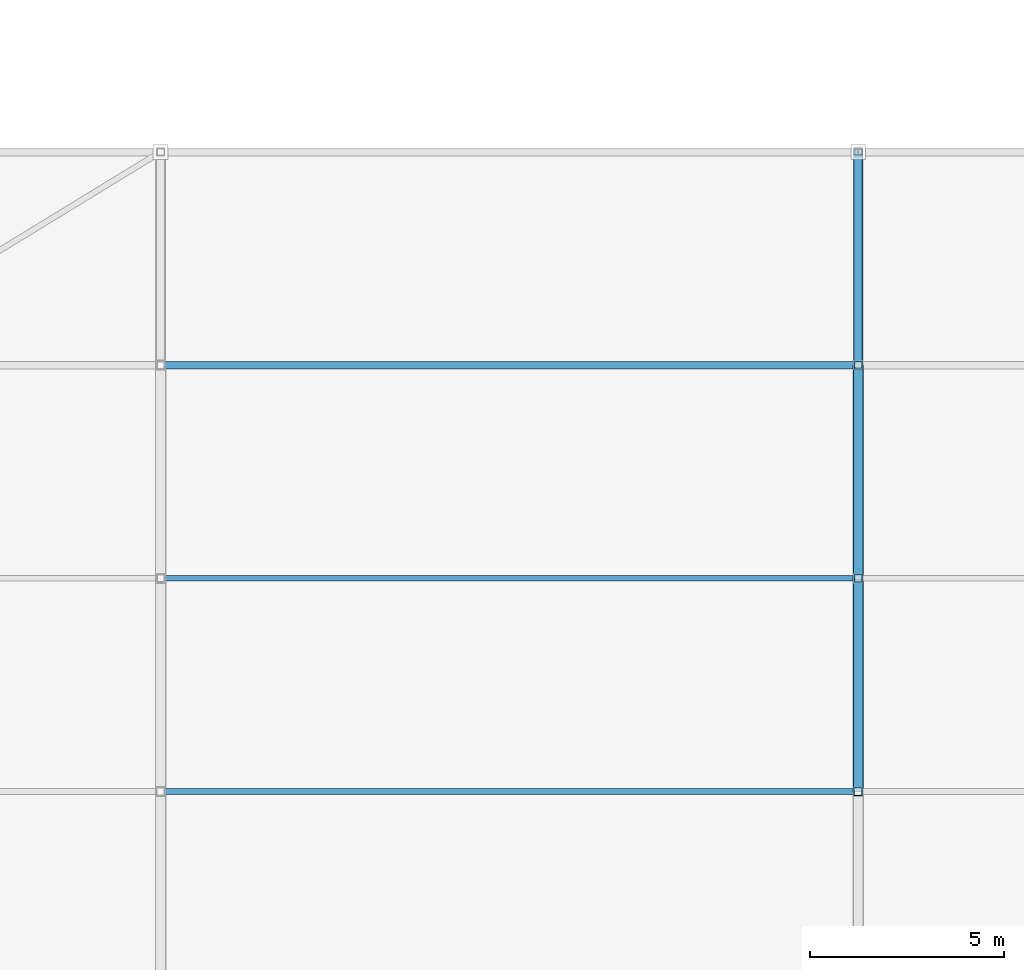
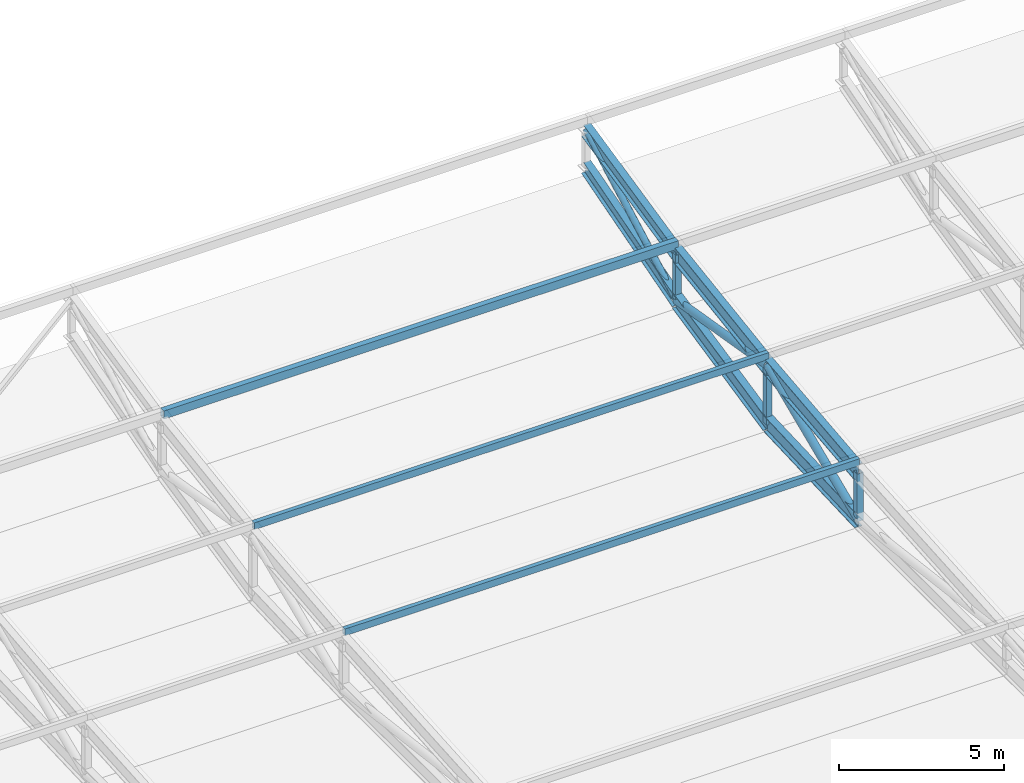
# One storey, part 21 of 114: 9 members, 6 beams.
"""IFC4 building model written with IfcOpenShell, lengths in metres."""

from ifc_helpers import new_model, si_unit, direction, frame, origin, origin_2d, place, context, subcontext, project, spatial, hollow_rectangle, hollow_circle, i_section, extrude, material, material_profile, profile_set, type_object, element, save


model = new_model("IFC4")

# Units and contexts
model_context = context("Model", 3, precision=1e-05, world=origin(), true_north=direction((0.0, 1.0)))
body_context = subcontext(model_context, "Body", "Model", "MODEL_VIEW")
ifc_project = project(units=[si_unit("LENGTHUNIT", "METRE"), si_unit("AREAUNIT", "SQUARE_METRE"), si_unit("VOLUMEUNIT", "CUBIC_METRE"), si_unit("PLANEANGLEUNIT", "RADIAN"), si_unit("MASSUNIT", "GRAM", prefix="KILO"), si_unit("THERMODYNAMICTEMPERATUREUNIT", "KELVIN"), si_unit("POWERUNIT", "WATT")], contexts=[model_context])

# Site, building, storey
site_placement = place(None, origin())
site = spatial("IfcSite", under=ifc_project, at=site_placement, CompositionType="ELEMENT")
building_placement = place(site_placement, origin())
building = spatial("IfcBuilding", under=site, at=building_placement, Name="Sindhuravela Promenade Stadium", CompositionType="ELEMENT")
storey_placement = place(building_placement, frame((0.0, 0.0, 24.0)))
storey = spatial("IfcBuildingStorey", under=building, at=storey_placement, Name="L05", CompositionType="ELEMENT", Elevation=24.0)

# Beams
ifc_material = material(Name="Steel E350 (IS 2062 E350BR)", Category="steel")
ifc_material_profile_1 = material_profile(ifc_material, i_section(OverallWidth=0.25, OverallDepth=0.5, WebThickness=0.010009765625, FlangeThickness=0.0146484375, FilletRadius=0.014892578125, at=origin_2d()), Name="ISWB 500")
ifc_profile_set_1 = profile_set([ifc_material_profile_1], Name="Steel E350 (IS 2062 E350BR)")
beam_type_1 = type_object("IfcBeamType", Name="ST-BM-WB500", PredefinedType="USERDEFINED", material=ifc_profile_set_1)
beam_1_placement = place(storey_placement, frame((126.0, 38.0, 3.169189453125), z_axis=(0.0, 0.9758669805330386, 0.2183658313595103), x_axis=(-1.0, 0.0, 0.0)))
element("IfcBeam", 1, at=beam_1_placement, inside=storey, type_object=beam_type_1, Name="Roof truss RT-S06 top chord 5", ObjectType="ROOF TRUSS", PredefinedType="USERDEFINED", context=body_context, shape_type="SweptSolid", body=[
    extrude(i_section(OverallWidth=0.25, OverallDepth=0.5, WebThickness=0.010009765625, FlangeThickness=0.0146484375, FilletRadius=0.014892578125, at=origin_2d()), origin(), (0.0, 0.0, 1.0), 5.635986328125),
])
beam_2_placement = place(storey_placement, frame((126.0, 38.0, 1.419189453125), z_axis=(0.0, 0.9599274278129861, 0.28024869907342015), x_axis=(-1.0, 0.0, 0.0)))
element("IfcBeam", 2, at=beam_2_placement, inside=storey, type_object=beam_type_1, Name="Roof truss RT-S06 bottom chord 5", ObjectType="ROOF TRUSS", PredefinedType="USERDEFINED", context=body_context, shape_type="SweptSolid", body=[
    extrude(i_section(OverallWidth=0.25, OverallDepth=0.5, WebThickness=0.010009765625, FlangeThickness=0.0146484375, FilletRadius=0.014892578125, at=origin_2d()), origin(), (0.0, 0.0, 1.0), 5.7294921875),
])
ifc_material_profile_2 = material_profile(ifc_material, i_section(OverallWidth=0.25, OverallDepth=0.60009765625, WebThickness=0.01171875, FlangeThickness=0.023681640625, FilletRadius=0.01708984375, at=origin_2d()), Name="ISWB 600")
ifc_profile_set_2 = profile_set([ifc_material_profile_2], Name="Steel E350 (IS 2062 E350BR)")
beam_type_2 = type_object("IfcBeamType", Name="ST-BM-WB600", PredefinedType="USERDEFINED", material=ifc_profile_set_2)
beam_3_placement = place(storey_placement, frame((126.0, 27.0, 1.76318359375), z_axis=(0.0, 0.9943078180575428, 0.1065455909441987), x_axis=(-1.0, 0.0, 0.0)))
element("IfcBeam", 3, at=beam_3_placement, inside=storey, type_object=beam_type_2, Name="Roof truss RT-S06 top chord 3", ObjectType="ROOF TRUSS", PredefinedType="USERDEFINED", context=body_context, shape_type="SweptSolid", body=[
    extrude(i_section(OverallWidth=0.25, OverallDepth=0.60009765625, WebThickness=0.01171875, FlangeThickness=0.023681640625, FilletRadius=0.01708984375, at=origin_2d()), origin(), (0.0, 0.0, 1.0), 5.531494140625),
])
beam_4_placement = place(storey_placement, frame((126.0, 27.0, 0.0), z_axis=(0.0, 0.9991453279387894, 0.04133538022189949), x_axis=(-1.0, 0.0, 0.0)))
element("IfcBeam", 4, at=beam_4_placement, inside=storey, type_object=beam_type_2, Name="Roof truss RT-S06 bottom chord 3", ObjectType="ROOF TRUSS", PredefinedType="USERDEFINED", context=body_context, shape_type="SweptSolid", body=[
    extrude(i_section(OverallWidth=0.25, OverallDepth=0.60009765625, WebThickness=0.01171875, FlangeThickness=0.023681640625, FilletRadius=0.01708984375, at=origin_2d()), origin(), (0.0, 0.0, 1.0), 5.504638671875),
])
beam_5_placement = place(storey_placement, frame((126.0, 32.5, 2.3525390625), z_axis=(0.0, 0.9891555530237203, 0.14687168523012892), x_axis=(-1.0, 0.0, 0.0)))
element("IfcBeam", 5, at=beam_5_placement, inside=storey, type_object=beam_type_2, Name="Roof truss RT-S06 top chord 4", ObjectType="ROOF TRUSS", PredefinedType="USERDEFINED", context=body_context, shape_type="SweptSolid", body=[
    extrude(i_section(OverallWidth=0.25, OverallDepth=0.60009765625, WebThickness=0.01171875, FlangeThickness=0.023681640625, FilletRadius=0.01708984375, at=origin_2d()), origin(), (0.0, 0.0, 1.0), 5.560302734375),
])
beam_6_placement = place(storey_placement, frame((126.0, 32.5, 0.2275390625), z_axis=(0.0, 0.9773237385626684, 0.21175058451368894), x_axis=(-1.0, 0.0, 0.0)))
element("IfcBeam", 6, at=beam_6_placement, inside=storey, type_object=beam_type_2, Name="Roof truss RT-S06 bottom chord 4", ObjectType="ROOF TRUSS", PredefinedType="USERDEFINED", context=body_context, shape_type="SweptSolid", body=[
    extrude(i_section(OverallWidth=0.25, OverallDepth=0.60009765625, WebThickness=0.01171875, FlangeThickness=0.023681640625, FilletRadius=0.01708984375, at=origin_2d()), origin(), (0.0, 0.0, 1.0), 5.627685546875),
])

# Members
ifc_material_profile_3 = material_profile(ifc_material, hollow_circle(Radius=0.109619140625, WallThickness=0.010009765625, at=origin_2d()), Name="CHS 219.1x10")
ifc_profile_set_3 = profile_set([ifc_material_profile_3], Name="Steel E350 (IS 2062 E350BR)")
member_type_1 = type_object("IfcMemberType", Name="ST-MB-CHS219", PredefinedType="BRACE", material=ifc_profile_set_3)
member_1_placement = place(storey_placement, frame((126.0, 38.0, 1.419189453125), z_axis=(0.0, 0.8791884339384995, 0.47647423605979855), x_axis=(-1.0, 0.0, 0.0)))
element("IfcMember", 7, at=member_1_placement, inside=storey, type_object=member_type_1, Name="Roof truss RT-S06 diagonal web 5", PredefinedType="BRACE", context=body_context, shape_type="SweptSolid", body=[
    extrude(hollow_circle(Radius=0.109619140625, WallThickness=0.010009765625, at=origin_2d()), origin(), (0.0, 0.0, 1.0), 6.255859375),
])
ifc_material_profile_4 = material_profile(ifc_material, hollow_circle(Radius=0.136474609375, WallThickness=0.010009765625, at=origin_2d()), Name="CHS 273.0x10")
ifc_profile_set_4 = profile_set([ifc_material_profile_4], Name="Steel E350 (IS 2062 E350BR)")
member_type_2 = type_object("IfcMemberType", Name="ST-MB-CHS273", PredefinedType="BRACE", material=ifc_profile_set_4)
member_2_placement = place(storey_placement, frame((126.0, 27.0, 0.0), z_axis=(0.0, 0.9194234507496676, 0.3932690150667524), x_axis=(-1.0, 0.0, 0.0)))
element("IfcMember", 8, at=member_2_placement, inside=storey, type_object=member_type_2, Name="Roof truss RT-S06 diagonal web 3", PredefinedType="BRACE", context=body_context, shape_type="SweptSolid", body=[
    extrude(hollow_circle(Radius=0.136474609375, WallThickness=0.010009765625, at=origin_2d()), origin(), (0.0, 0.0, 1.0), 5.98193359375),
])
member_3_placement = place(storey_placement, frame((126.0, 32.5, 2.3525390625), z_axis=(0.0, 0.9859046851385784, -0.1673079550463772), x_axis=(-1.0, 0.0, 0.0)))
element("IfcMember", 9, at=member_3_placement, inside=storey, type_object=member_type_2, Name="Roof truss RT-S06 diagonal web 4", PredefinedType="BRACE", context=body_context, shape_type="SweptSolid", body=[
    extrude(hollow_circle(Radius=0.136474609375, WallThickness=0.010009765625, at=origin_2d()), origin(), (0.0, 0.0, 1.0), 5.57861328125),
])
ifc_material_profile_5 = material_profile(ifc_material, hollow_rectangle(XDim=0.14990234375, YDim=0.25, WallThickness=0.010009765625, at=origin_2d()), Name="RHS 250x150x10")
ifc_profile_set_5 = profile_set([ifc_material_profile_5], Name="Steel E350 (IS 2062 E350BR)")
member_type_3 = type_object("IfcMemberType", Name="ST-MB-RHS250", PredefinedType="PURLIN", material=ifc_profile_set_5)
for number, where, z_axis, x_axis, name in (
    (10, (108.0, 27.0, 2.1552734375), (1.0, 0.0, 0.0), (0.0, 1.0, 0.0), "Roof purlin PR01 S bay 5.3"),
    (11, (108.0, 32.5, 2.744384765625), (1.0, 0.0, 0.0), (0.0, 1.0, 0.0), "Roof purlin PR01 S bay 5.4"),
):
    element("IfcMember", number, at=place(storey_placement, frame(where, z_axis=z_axis, x_axis=x_axis)), inside=storey, type_object=member_type_3, Name=name, PredefinedType="PURLIN", context=body_context, shape_type="SweptSolid", body=[
        extrude(hollow_rectangle(XDim=0.14990234375, YDim=0.25, WallThickness=0.010009765625, at=origin_2d()), origin(), (0.0, 0.0, 1.0), 18.0),
    ])
ifc_material_profile_6 = material_profile(ifc_material, hollow_rectangle(XDim=0.199951171875, YDim=0.300048828125, WallThickness=0.010009765625, at=origin_2d()), Name="RHS 300x200x10")
ifc_profile_set_6 = profile_set([ifc_material_profile_6], Name="Steel E350 (IS 2062 E350BR)")
member_type_4 = type_object("IfcMemberType", Name="ST-MB-RHS300", PredefinedType="PURLIN", material=ifc_profile_set_6)
member_4_placement = place(storey_placement, frame((108.0, 38.0, 3.5361328125), z_axis=(1.0, 0.0, 0.0), x_axis=(0.0, 1.0, 0.0)))
element("IfcMember", 12, at=member_4_placement, inside=storey, type_object=member_type_4, Name="Roof purlin PR02 S bay 5.5", PredefinedType="PURLIN", context=body_context, shape_type="SweptSolid", body=[
    extrude(hollow_rectangle(XDim=0.199951171875, YDim=0.300048828125, WallThickness=0.010009765625, at=origin_2d()), origin(), (0.0, 0.0, 1.0), 18.0),
])
ifc_material_profile_7 = material_profile(ifc_material, hollow_rectangle(XDim=0.199951171875, YDim=0.199951171875, WallThickness=0.010009765625, at=origin_2d()), Name="SHS 200x200x10")
ifc_profile_set_7 = profile_set([ifc_material_profile_7], Name="Steel E350 (IS 2062 E350BR)")
member_type_5 = type_object("IfcMemberType", Name="ST-MB-SHS200", PredefinedType="POST", material=ifc_profile_set_7)
member_5_placement = place(storey_placement, frame((126.0, 32.5, 0.2275390625), z_axis=(0.0, 0.0, 1.0), x_axis=(1.0, 0.0, 0.0)))
element("IfcMember", 13, at=member_5_placement, inside=storey, type_object=member_type_5, Name="Roof truss RT-S06 vertical post 4", PredefinedType="POST", context=body_context, shape_type="SweptSolid", body=[
    extrude(hollow_rectangle(XDim=0.199951171875, YDim=0.199951171875, WallThickness=0.010009765625, at=origin_2d()), origin(), (0.0, 0.0, 1.0), 2.125),
])
member_6_placement = place(storey_placement, frame((126.0, 38.0, 1.419189453125), z_axis=(0.0, 0.0, 1.0), x_axis=(1.0, 0.0, 0.0)))
element("IfcMember", 14, at=member_6_placement, inside=storey, type_object=member_type_5, Name="Roof truss RT-S06 vertical post 5", PredefinedType="POST", context=body_context, shape_type="SweptSolid", body=[
    extrude(hollow_rectangle(XDim=0.199951171875, YDim=0.199951171875, WallThickness=0.010009765625, at=origin_2d()), origin(), (0.0, 0.0, 1.0), 1.75),
])
ifc_material_profile_8 = material_profile(ifc_material, hollow_rectangle(XDim=0.219970703125, YDim=0.219970703125, WallThickness=0.011962890625, at=origin_2d()), Name="SHS 220x220x12")
ifc_profile_set_8 = profile_set([ifc_material_profile_8], Name="Steel E350 (IS 2062 E350BR)")
member_type_6 = type_object("IfcMemberType", Name="ST-MB-SHS220", PredefinedType="POST", material=ifc_profile_set_8)
member_7_placement = place(storey_placement, frame((126.0, 27.0, 0.0), z_axis=(0.0, 0.0, 1.0), x_axis=(1.0, 0.0, 0.0)))
element("IfcMember", 15, at=member_7_placement, inside=storey, type_object=member_type_6, Name="Roof truss RT-S06 vertical post 3", PredefinedType="POST", context=body_context, shape_type="SweptSolid", body=[
    extrude(hollow_rectangle(XDim=0.219970703125, YDim=0.219970703125, WallThickness=0.011962890625, at=origin_2d()), origin(), (0.0, 0.0, 1.0), 1.76318359375),
])

save(model, "model.ifc")
